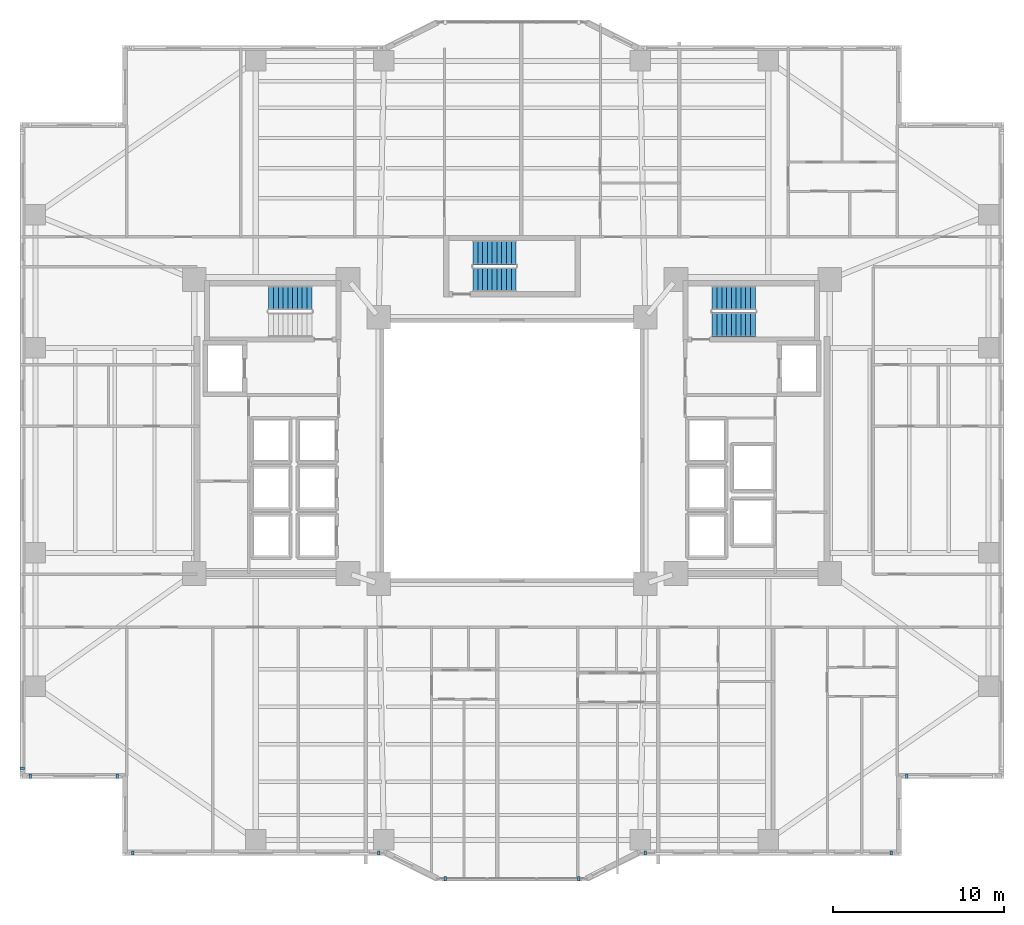
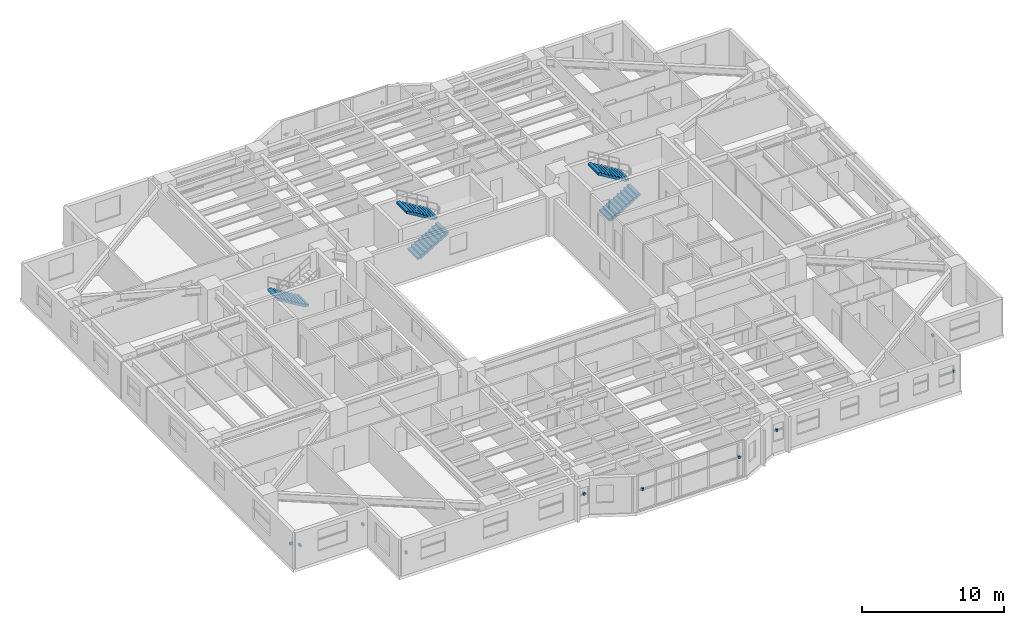
# One storey, part 16 of 21: 10 discrete accessories, 5 stair flights, 3 elements without a shape of their own.
"""IFC4 building model written with IfcOpenShell, lengths in metres."""

from ifc_helpers import new_model, si_unit, direction, frame, origin, origin_2d, place, context, subcontext, project, spatial, polyline, rectangle, outline, extrude, material, type_object, element, aggregate, save


model = new_model("IFC4")

# Units and contexts
model_context = context("Model", 3, precision=1e-05, world=origin(), true_north=direction((0.0, 1.0)))
body_context = subcontext(model_context, "Body", "Model", "MODEL_VIEW")
ifc_project = project(units=[si_unit("LENGTHUNIT", "METRE"), si_unit("AREAUNIT", "SQUARE_METRE"), si_unit("VOLUMEUNIT", "CUBIC_METRE"), si_unit("PLANEANGLEUNIT", "RADIAN"), si_unit("MASSUNIT", "GRAM", prefix="KILO")], contexts=[model_context])

# Site, building, storey
site_placement = place(None, origin())
site = spatial("IfcSite", under=ifc_project, at=site_placement, CompositionType="ELEMENT")
building_placement = place(site_placement, origin())
building = spatial("IfcBuilding", under=site, at=building_placement, Name="Tarnavaz Court Tower", CompositionType="ELEMENT")
storey_placement = place(building_placement, frame((0.0, 0.0, 47.449951171875)))
storey = spatial("IfcBuildingStorey", under=building, at=storey_placement, Name="L12", CompositionType="ELEMENT", Elevation=47.449951171875)

# Stair, stair flight
ifc_material_1 = material(Name="Concrete C40/50", Category="concrete")
stair_type = type_object("IfcStairType", Name="ST-TWR-20R", PredefinedType="HALF_TURN_STAIR", material=ifc_material_1)
stair_1_placement = place(storey_placement, origin())
stair_1 = element("IfcStair", 1, at=stair_1_placement, inside=storey, type_object=stair_type, Name="L12 West Core Pressurized Exit Stair ST-W1", PredefinedType="HALF_TURN_STAIR")
stair_flight_type = type_object("IfcStairFlightType", Name="SFL-RC-20R", PredefinedType="STRAIGHT", material=ifc_material_1)
stair_flight_1_placement = place(storey_placement, frame((-11.719970703125, 8.929931640625, 0.0), z_axis=(0.0, 0.0, 1.0), x_axis=(-1.0, 0.0, 0.0)))
stair_flight_1 = element("IfcStairFlight", 2, at=stair_flight_1_placement, type_object=stair_flight_type, Name="ST-W1 flight 1", NumberOfRisers=10, NumberOfTreads=9, PredefinedType="STRAIGHT", RiserHeight=0.1675, TreadLength=0.28, context=body_context, shape_type="SweptSolid", body=[
    extrude(outline(polyline([(0.0, 0.0), (0.0, 0.16748046875), (0.280029296875, 0.16748046875), (0.280029296875, 0.3349609375), (0.56005859375, 0.3349609375), (0.56005859375, 0.50244140625), (0.840087890625, 0.50244140625), (0.840087890625, 0.669921875), (1.1201171875, 0.669921875), (1.1201171875, 0.83740234375), (1.39990234375, 0.83740234375), (1.39990234375, 1.0048828125), (1.679931640625, 1.0048828125), (1.679931640625, 1.172607421875), (1.9599609375, 1.172607421875), (1.9599609375, 1.340087890625), (2.239990234375, 1.340087890625), (2.239990234375, 1.507568359375), (2.52001953125, 1.507568359375), (2.52001953125, 1.675048828125), (2.52001953125, 1.332763671875), (0.2919921875, 0.0), (0.0, 0.0)])), frame((0.0, 0.7099609375, 0.0), z_axis=(0.0, -1.0, 0.0), x_axis=(1.0, 0.0, 0.0)), (0.0, 0.0, 1.0), 1.419921875),
])
aggregate(stair_1, [stair_flight_1])

# Stair, stair flights
stair_2_placement = place(storey_placement, origin())
stair_2 = element("IfcStair", 3, at=stair_2_placement, inside=storey, type_object=stair_type, Name="L12 East Core Pressurized Exit Stair ST-E1", PredefinedType="HALF_TURN_STAIR")
stair_flight_2_placement = place(storey_placement, frame((11.719970703125, 7.360107421875, 0.0), z_axis=(0.0, 0.0, 1.0), x_axis=(1.0, 0.0, 0.0)))
stair_flight_2 = element("IfcStairFlight", 4, at=stair_flight_2_placement, type_object=stair_flight_type, Name="ST-E1 flight 1", NumberOfRisers=10, NumberOfTreads=9, PredefinedType="STRAIGHT", RiserHeight=0.1675, TreadLength=0.28, context=body_context, shape_type="SweptSolid", body=[
    extrude(outline(polyline([(0.0, 0.0), (0.0, 0.16748046875), (0.280029296875, 0.16748046875), (0.280029296875, 0.3349609375), (0.56005859375, 0.3349609375), (0.56005859375, 0.50244140625), (0.840087890625, 0.50244140625), (0.840087890625, 0.669921875), (1.1201171875, 0.669921875), (1.1201171875, 0.83740234375), (1.39990234375, 0.83740234375), (1.39990234375, 1.0048828125), (1.679931640625, 1.0048828125), (1.679931640625, 1.172607421875), (1.9599609375, 1.172607421875), (1.9599609375, 1.340087890625), (2.239990234375, 1.340087890625), (2.239990234375, 1.507568359375), (2.52001953125, 1.507568359375), (2.52001953125, 1.675048828125), (2.52001953125, 1.332763671875), (0.2919921875, 0.0), (0.0, 0.0)])), frame((0.0, 0.7099609375, 0.0), z_axis=(0.0, -1.0, 0.0), x_axis=(1.0, 0.0, 0.0)), (0.0, 0.0, 1.0), 1.419921875),
])
stair_flight_3_placement = place(storey_placement, frame((14.239990234375, 8.929931640625, 1.675048828125), z_axis=(0.0, 0.0, 1.0), x_axis=(-1.0, 0.0, 0.0)))
stair_flight_3 = element("IfcStairFlight", 5, at=stair_flight_3_placement, type_object=stair_flight_type, Name="ST-E1 flight 2", NumberOfRisers=10, NumberOfTreads=9, PredefinedType="STRAIGHT", RiserHeight=0.1675, TreadLength=0.28, context=body_context, shape_type="SweptSolid", body=[
    extrude(outline(polyline([(0.0, 0.0), (0.0, 0.16748046875), (0.280029296875, 0.16748046875), (0.280029296875, 0.3349609375), (0.56005859375, 0.3349609375), (0.56005859375, 0.50244140625), (0.840087890625, 0.50244140625), (0.840087890625, 0.669921875), (1.1201171875, 0.669921875), (1.1201171875, 0.83740234375), (1.39990234375, 0.83740234375), (1.39990234375, 1.0048828125), (1.679931640625, 1.0048828125), (1.679931640625, 1.172607421875), (1.9599609375, 1.172607421875), (1.9599609375, 1.340087890625), (2.239990234375, 1.340087890625), (2.239990234375, 1.507568359375), (2.52001953125, 1.507568359375), (2.52001953125, 1.675048828125), (2.52001953125, 1.332763671875), (0.2919921875, 0.0), (0.0, 0.0)])), frame((0.0, 0.7099609375, 0.0), z_axis=(0.0, -1.0, 0.0), x_axis=(1.0, 0.0, 0.0)), (0.0, 0.0, 1.0), 1.419921875),
])
aggregate(stair_2, [stair_flight_2, stair_flight_3])

stair_3_placement = place(storey_placement, origin())
stair_3 = element("IfcStair", 6, at=stair_3_placement, inside=storey, type_object=stair_type, Name="L12 North Ring Pressurized Exit Stair ST-N1", PredefinedType="HALF_TURN_STAIR")
stair_flight_4_placement = place(storey_placement, frame((-2.280029296875, 10.010009765625, 0.0), z_axis=(0.0, 0.0, 1.0), x_axis=(1.0, 0.0, 0.0)))
stair_flight_4 = element("IfcStairFlight", 7, at=stair_flight_4_placement, type_object=stair_flight_type, Name="ST-N1 flight 1", NumberOfRisers=10, NumberOfTreads=9, PredefinedType="STRAIGHT", RiserHeight=0.1675, TreadLength=0.28, context=body_context, shape_type="SweptSolid", body=[
    extrude(outline(polyline([(0.0, 0.0), (0.0, 0.16748046875), (0.280029296875, 0.16748046875), (0.280029296875, 0.3349609375), (0.56005859375, 0.3349609375), (0.56005859375, 0.50244140625), (0.840087890625, 0.50244140625), (0.840087890625, 0.669921875), (1.1201171875, 0.669921875), (1.1201171875, 0.83740234375), (1.39990234375, 0.83740234375), (1.39990234375, 1.0048828125), (1.679931640625, 1.0048828125), (1.679931640625, 1.172607421875), (1.9599609375, 1.172607421875), (1.9599609375, 1.340087890625), (2.239990234375, 1.340087890625), (2.239990234375, 1.507568359375), (2.52001953125, 1.507568359375), (2.52001953125, 1.675048828125), (2.52001953125, 1.332763671875), (0.2919921875, 0.0), (0.0, 0.0)])), frame((0.0, 0.7099609375, 0.0), z_axis=(0.0, -1.0, 0.0), x_axis=(1.0, 0.0, 0.0)), (0.0, 0.0, 1.0), 1.419921875),
])
stair_flight_5_placement = place(storey_placement, frame((0.239990234375, 11.580078125, 1.675048828125), z_axis=(0.0, 0.0, 1.0), x_axis=(-1.0, 0.0, 0.0)))
stair_flight_5 = element("IfcStairFlight", 8, at=stair_flight_5_placement, type_object=stair_flight_type, Name="ST-N1 flight 2", NumberOfRisers=10, NumberOfTreads=9, PredefinedType="STRAIGHT", RiserHeight=0.1675, TreadLength=0.28, context=body_context, shape_type="SweptSolid", body=[
    extrude(outline(polyline([(0.0, 0.0), (0.0, 0.16748046875), (0.280029296875, 0.16748046875), (0.280029296875, 0.3349609375), (0.56005859375, 0.3349609375), (0.56005859375, 0.50244140625), (0.840087890625, 0.50244140625), (0.840087890625, 0.669921875), (1.1201171875, 0.669921875), (1.1201171875, 0.83740234375), (1.39990234375, 0.83740234375), (1.39990234375, 1.0048828125), (1.679931640625, 1.0048828125), (1.679931640625, 1.172607421875), (1.9599609375, 1.172607421875), (1.9599609375, 1.340087890625), (2.239990234375, 1.340087890625), (2.239990234375, 1.507568359375), (2.52001953125, 1.507568359375), (2.52001953125, 1.675048828125), (2.52001953125, 1.332763671875), (0.2919921875, 0.0), (0.0, 0.0)])), frame((0.0, 0.7099609375, 0.0), z_axis=(0.0, -1.0, 0.0), x_axis=(1.0, 0.0, 0.0)), (0.0, 0.0, 1.0), 1.419921875),
])
aggregate(stair_3, [stair_flight_4, stair_flight_5])

# Discrete accessories
ifc_material_2 = material(Name="Anodised Aluminium 6063-T6", Category="aluminium")
discrete_accessory_type = type_object("IfcDiscreteAccessoryType", Name="DA-BRKT-ALU", PredefinedType="BRACKET", material=ifc_material_2)
for number, where, z_axis, x_axis, name in (
    (9, (-23.10009765625, -19.070068359375, 1.75), (0.0, 0.0, 1.0), (-1.0, 0.0, 0.0), "L12 Baguette Outrigger Bracket FBG01-1"),
    (10, (-28.199951171875, -19.070068359375, 1.75), (0.0, 0.0, 1.0), (-1.0, 0.0, 0.0), "L12 Baguette Outrigger Bracket FBG01-2"),
    (11, (-28.669921875, -18.60009765625, 1.75), (0.0, 0.0, 1.0), (0.0, 1.0, 0.0), "L12 Baguette Outrigger Bracket FBG02-1"),
    (12, (23.10009765625, -19.070068359375, 1.75), (0.0, 0.0, 1.0), (-1.0, 0.0, 0.0), "L12 Baguette Outrigger Bracket FBG13-2"),
    (13, (22.199951171875, -23.570068359375, 1.75), (0.0, 0.0, 1.0), (-1.0, 0.0, 0.0), "L12 Baguette Outrigger Bracket FBG15-1"),
    (14, (7.800048828125, -23.570068359375, 1.75), (0.0, 0.0, 1.0), (-1.0, 0.0, 0.0), "L12 Baguette Outrigger Bracket FBG15-2"),
    (15, (3.89990234375, -25.070068359375, 1.7001953125), (0.0, 0.0, 1.0), (-1.0, 0.0, 0.0), "L12 Baguette Outrigger Bracket PBG17-1"),
    (16, (-3.89990234375, -25.070068359375, 1.7001953125), (0.0, 0.0, 1.0), (-1.0, 0.0, 0.0), "L12 Baguette Outrigger Bracket PBG17-2"),
    (17, (-7.800048828125, -23.570068359375, 1.75), (0.0, 0.0, 1.0), (-1.0, 0.0, 0.0), "L12 Baguette Outrigger Bracket FBG19-1"),
    (18, (-22.199951171875, -23.570068359375, 1.75), (0.0, 0.0, 1.0), (-1.0, 0.0, 0.0), "L12 Baguette Outrigger Bracket FBG19-2"),
):
    element("IfcDiscreteAccessory", number, at=place(storey_placement, frame(where, z_axis=z_axis, x_axis=x_axis)), inside=storey, type_object=discrete_accessory_type, Name=name, PredefinedType="BRACKET", context=body_context, shape_type="SweptSolid", body=[
        extrude(rectangle(XDim=0.139892578125, YDim=0.239990234375, at=origin_2d()), origin(), (0.0, 0.0, 1.0), 0.199951171875),
    ])

save(model, "model.ifc")
